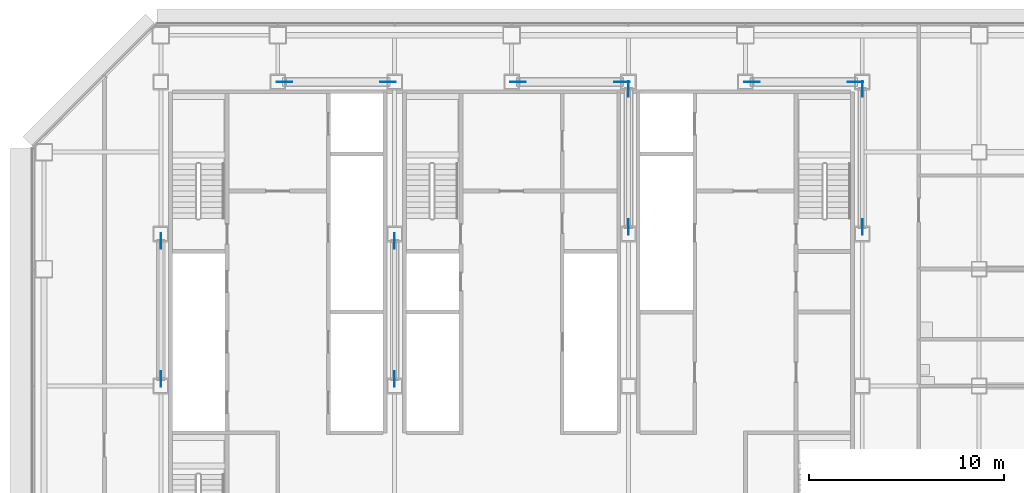
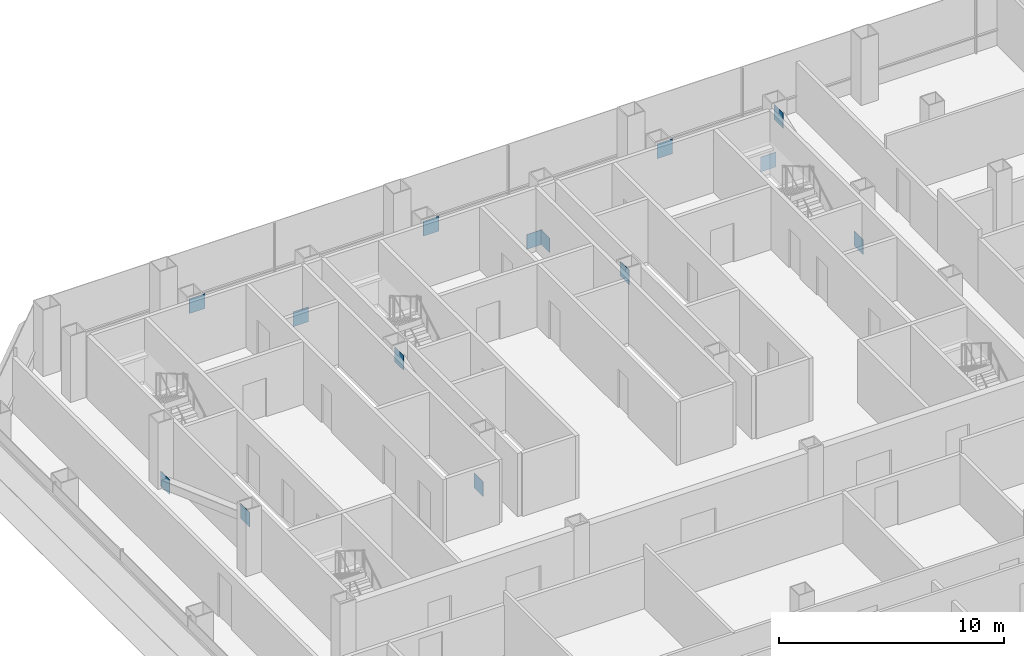
# One storey, part 25 of 27: 14 discrete accessories.
"""IFC4 building model written with IfcOpenShell, lengths in metres."""

from ifc_helpers import new_model, si_unit, direction, frame, origin, origin_2d, place, context, subcontext, project, spatial, rectangle, extrude, material, layer, layer_set, type_object, element, save


model = new_model("IFC4")

# Units and contexts
model_context = context("Model", 3, precision=1e-05, world=origin(), true_north=direction((0.0, 1.0)))
body_context = subcontext(model_context, "Body", "Model", "MODEL_VIEW")
ifc_project = project(units=[si_unit("LENGTHUNIT", "METRE"), si_unit("AREAUNIT", "SQUARE_METRE"), si_unit("VOLUMEUNIT", "CUBIC_METRE"), si_unit("PLANEANGLEUNIT", "RADIAN"), si_unit("MASSUNIT", "GRAM", prefix="KILO")], contexts=[model_context])

# Site, building, storey
site_placement = place(None, origin())
site = spatial("IfcSite", under=ifc_project, at=site_placement, CompositionType="ELEMENT")
building_placement = place(site_placement, origin())
building = spatial("IfcBuilding", under=site, at=building_placement, Name="Sorahane Residences", CompositionType="ELEMENT")
storey_placement = place(building_placement, frame((0.0, 0.0, 75.0)))
storey = spatial("IfcBuildingStorey", under=building, at=storey_placement, Name="L15", CompositionType="ELEMENT", Elevation=75.0)

# Discrete accessories
ifc_material = material(Name="Steel Q355B", Category="steel")
ifc_layer = layer(ifc_material, 0.02490234375)
ifc_layer_set = layer_set([ifc_layer], Name="Node plate Steel Q355B 25")
discrete_accessory_type = type_object("IfcDiscreteAccessoryType", Name="Node plate Steel Q355B 25", PredefinedType="BRACKET", material=ifc_layer_set)
for number, where, z_axis, x_axis, name in (
    (1, (6.0, 37.44580078125, -0.19140625), (0.0, 0.0, 1.0), (0.0, 1.0, 0.0), "Node plate L15 br"),
    (2, (6.0, 30.354248046875, 2.361328125), (0.0, 0.0, 1.0), (0.0, 1.0, 0.0), "Node plate L15 br"),
    (3, (18.0, 30.354248046875, -0.19140625), (0.0, 0.0, 1.0), (0.0, 1.0, 0.0), "Node plate L15 br"),
    (4, (18.0, 37.44580078125, 2.361328125), (0.0, 0.0, 1.0), (0.0, 1.0, 0.0), "Node plate L15 br"),
    (5, (30.0, 45.24560546875, -0.19140625), (0.0, 0.0, 1.0), (0.0, 1.0, 0.0), "Node plate L15 br"),
    (6, (30.0, 38.154296875, 2.361328125), (0.0, 0.0, 1.0), (0.0, 1.0, 0.0), "Node plate L15 br"),
    (7, (42.0, 38.154296875, -0.19140625), (0.0, 0.0, 1.0), (0.0, 1.0, 0.0), "Node plate L15 br"),
    (8, (42.0, 45.24560546875, 2.361328125), (0.0, 0.0, 1.0), (0.0, 1.0, 0.0), "Node plate L15 br"),
    (9, (17.658935546875, 45.60009765625, -0.20361328125), (0.0, 0.0, 1.0), (1.0, 0.0, 0.0), "Node plate L15 br"),
    (10, (29.658935546875, 45.60009765625, -0.20361328125), (0.0, 0.0, 1.0), (1.0, 0.0, 0.0), "Node plate L15 br"),
    (11, (41.658935546875, 45.60009765625, -0.20361328125), (0.0, 0.0, 1.0), (1.0, 0.0, 0.0), "Node plate L15 br"),
    (12, (12.341064453125, 45.60009765625, 2.37353515625), (0.0, 0.0, 1.0), (1.0, 0.0, 0.0), "Node plate L15 br"),
    (13, (24.341064453125, 45.60009765625, 2.37353515625), (0.0, 0.0, 1.0), (1.0, 0.0, 0.0), "Node plate L15 br"),
    (14, (36.341064453125, 45.60009765625, 2.37353515625), (0.0, 0.0, 1.0), (1.0, 0.0, 0.0), "Node plate L15 br"),
):
    element("IfcDiscreteAccessory", number, at=place(storey_placement, frame(where, z_axis=z_axis, x_axis=x_axis)), inside=storey, type_object=discrete_accessory_type, Name=name, PredefinedType="BRACKET", context=body_context, shape_type="SweptSolid", body=[
        extrude(rectangle(XDim=0.800048828125, YDim=0.02490234375, at=origin_2d()), origin(), (0.0, 0.0, 1.0), 0.800048828125),
    ])

save(model, "model.ifc")
